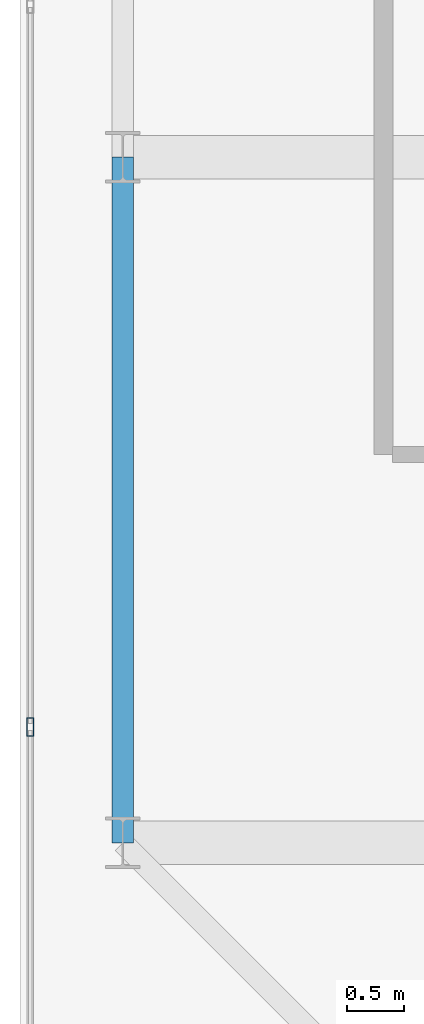
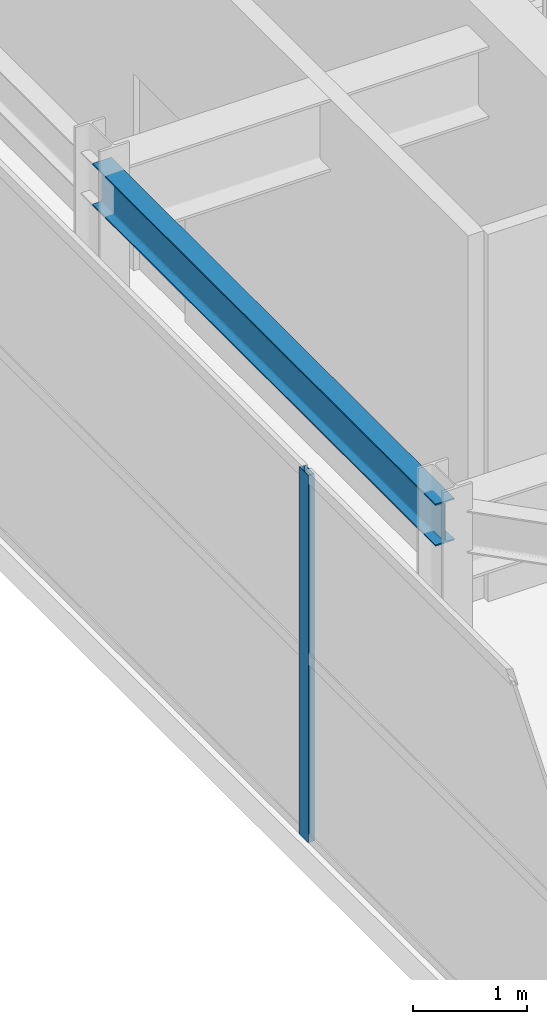
# One storey, part 5 of 32: 1 beam, 1 member, 1 element without a shape of its own.
"""IFC4 building model written with IfcOpenShell, lengths in metres."""

from ifc_helpers import new_model, si_unit, direction, frame, origin, origin_2d, place, context, subcontext, project, spatial, hollow_rectangle, i_section, extrude, source, transform, mapped, material, layer, layer_set, material_profile, profile_set, type_object, element, aggregate, save


model = new_model("IFC4")

# Units and contexts
model_context = context("Model", 3, precision=1e-05, world=origin(), true_north=direction((0.0, 1.0)))
body_context = subcontext(model_context, "Body", "Model", "MODEL_VIEW")
ifc_project = project(units=[si_unit("LENGTHUNIT", "METRE"), si_unit("AREAUNIT", "SQUARE_METRE"), si_unit("VOLUMEUNIT", "CUBIC_METRE"), si_unit("PLANEANGLEUNIT", "RADIAN"), si_unit("MASSUNIT", "GRAM", prefix="KILO")], contexts=[model_context])

# Site, building, storey
site_placement = place(None, origin())
site = spatial("IfcSite", under=ifc_project, at=site_placement, CompositionType="ELEMENT")
building_placement = place(site_placement, origin())
building = spatial("IfcBuilding", under=site, at=building_placement, Name="Khoralis Quay Care Tower", CompositionType="ELEMENT")
storey_placement = place(building_placement, frame((0.0, 0.0, 306.300048828125)))
storey = spatial("IfcBuildingStorey", under=building, at=storey_placement, Name="L80", CompositionType="ELEMENT", Elevation=306.300048828125)

# Beam
ifc_material_1 = material(Name="Steel S355", Category="steel")
ifc_material_profile_1 = material_profile(ifc_material_1, i_section(OverallWidth=0.18994140625, OverallDepth=0.449951171875, WebThickness=0.009521484375, FlangeThickness=0.0146484375, FilletRadius=0.02099609375, at=origin_2d()), Name="Steel S355")
ifc_profile_set_1 = profile_set([ifc_material_profile_1], Name="Steel S355")
beam_type = type_object("IfcBeamType", Name="BM-IPE450", PredefinedType="SPANDREL", material=ifc_profile_set_1)
shared_shape_1 = source(origin(), body_context, "Body", "SweptSolid", [
    extrude(i_section(OverallWidth=0.18994140625, OverallDepth=0.449951171875, WebThickness=0.009521484375, FlangeThickness=0.0146484375, FilletRadius=0.02099609375, at=origin_2d()), origin(), (0.0, 0.0, 1.0), 6.0),
])
beam_placement = place(storey_placement, frame((3.89990234375, 12.0, 3.695068359375), z_axis=(0.0, 1.0, 0.0), x_axis=(-1.0, 0.0, 0.0)))
element("IfcBeam", 1, at=beam_placement, inside=storey, type_object=beam_type, Name="BM-TSP-L80-09", PredefinedType="SPANDREL", context=body_context, shape_type="MappedRepresentation", body=[
    mapped(shared_shape_1, transform((0.0, 0.0, 0.0), scale=1.0)),
])

# Curtain wall, member
ifc_material_2 = material(Name="Pale anodised aluminium", Category="aluminium")
ifc_layer = layer(ifc_material_2, 0.199951171875)
ifc_layer_set = layer_set([ifc_layer], Name="Pale anodised aluminium")
curtain_wall_type = type_object("IfcCurtainWallType", Name="CW-SYS-LANTERN", PredefinedType="NOTDEFINED", material=ifc_layer_set)
curtain_wall_placement = place(storey_placement, origin())
curtain_wall = element("IfcCurtainWall", 2, at=curtain_wall_placement, inside=storey, type_object=curtain_wall_type, Name="L80 Unitised Curtain Wall CW-LN-L80-16", PredefinedType="NOTDEFINED")
ifc_material_profile_2 = material_profile(ifc_material_2, hollow_rectangle(XDim=0.06005859375, YDim=0.159912109375, WallThickness=0.00390625, at=origin_2d()), Name="Pale anodised aluminium")
ifc_profile_set_2 = profile_set([ifc_material_profile_2], Name="Pale anodised aluminium")
member_type = type_object("IfcMemberType", Name="CW-MUL-160", PredefinedType="MULLION", material=ifc_profile_set_2)
shared_shape_2 = source(origin(), body_context, "Body", "SweptSolid", [
    extrude(hollow_rectangle(XDim=0.06005859375, YDim=0.159912109375, WallThickness=0.00390625, at=origin_2d()), origin(), (0.0, 0.0, 1.0), 3.919921875),
])
member_placement = place(storey_placement, frame((3.090087890625, 13.013916015625, 0.0), z_axis=(0.0, 0.0, 1.0), x_axis=(1.0, 0.0, 0.0)))
member = element("IfcMember", 3, at=member_placement, type_object=member_type, Name="CW5 mullion 5", PredefinedType="MULLION", context=body_context, shape_type="MappedRepresentation", body=[
    mapped(shared_shape_2, transform((0.0, 0.0, 0.0), scale=1.0)),
])
aggregate(curtain_wall, [member])

save(model, "model.ifc")
